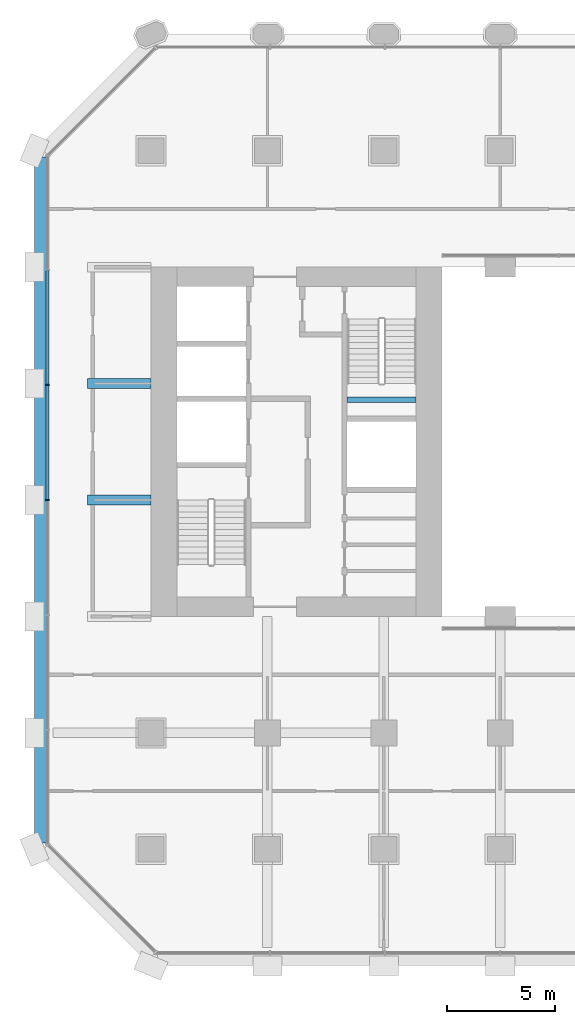
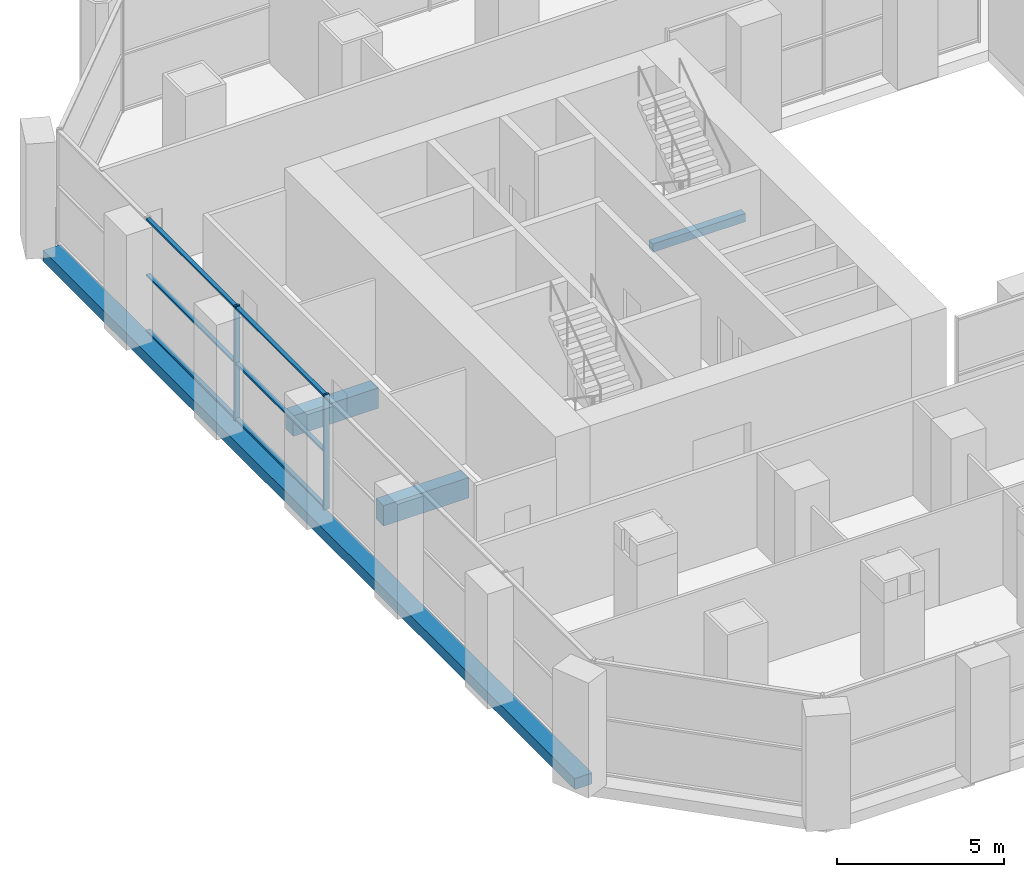
# One storey, part 5 of 23: 8 members, 4 beams, 1 element without a shape of its own.
"""IFC4 building model written with IfcOpenShell, lengths in metres."""

from ifc_helpers import new_model, si_unit, direction, frame, origin, origin_2d, place, context, subcontext, project, spatial, rectangle, extrude, material, material_profile, profile_set, type_object, element, aggregate, save


model = new_model("IFC4")

# Units and contexts
model_context = context("Model", 3, precision=1e-05, world=origin(), true_north=direction((0.0, 1.0)))
body_context = subcontext(model_context, "Body", "Model", "MODEL_VIEW")
ifc_project = project(units=[si_unit("LENGTHUNIT", "METRE"), si_unit("AREAUNIT", "SQUARE_METRE"), si_unit("VOLUMEUNIT", "CUBIC_METRE"), si_unit("PLANEANGLEUNIT", "RADIAN"), si_unit("MASSUNIT", "GRAM", prefix="KILO")], contexts=[model_context])

# Site, building, storey
site_placement = place(None, origin())
site = spatial("IfcSite", under=ifc_project, at=site_placement, CompositionType="ELEMENT")
building_placement = place(site_placement, origin())
building = spatial("IfcBuilding", under=site, at=building_placement, Name="Tabaq Tower and Sports Hall", CompositionType="ELEMENT")
storey_placement = place(building_placement, frame((0.0, 0.0, 29.10009765625)))
storey = spatial("IfcBuildingStorey", under=building, at=storey_placement, Name="L05", CompositionType="ELEMENT", Elevation=29.10009765625)

# Curtain wall, members
ifc_material_1 = material(Name="Aluminium alloy 6063-T6 framed glazing", Category="aluminium")
curtain_wall_type = type_object("IfcCurtainWallType", Name="CW7 curtain wall", PredefinedType="USERDEFINED", material=ifc_material_1)
curtain_wall_placement = place(storey_placement, origin())
curtain_wall = element("IfcCurtainWall", 1, at=curtain_wall_placement, inside=storey, type_object=curtain_wall_type, Name="Podium Wall L05 W", ObjectType="PODIUM WALL", PredefinedType="USERDEFINED")
ifc_material_2 = material(Name="Aluminium alloy 6063-T6", Category="aluminium")
ifc_material_profile_1 = material_profile(ifc_material_2, rectangle(XDim=0.179931640625, YDim=0.06494140625, at=origin_2d()), Name="MULLION 180x65")
ifc_profile_set_1 = profile_set([ifc_material_profile_1], Name="Aluminium alloy 6063-T6")
member_type_1 = type_object("IfcMemberType", Name="CW7 mullion 180x65", PredefinedType="MULLION", material=ifc_profile_set_1)
member_1_placement = place(storey_placement, frame((0.60009765625, 26.93798828125, 0.0), z_axis=(0.0, 0.0, 1.0), x_axis=(1.0, 0.0, 0.0)))
member_1 = element("IfcMember", 2, at=member_1_placement, type_object=member_type_1, Name="CW7 mullion 3", PredefinedType="MULLION", context=body_context, shape_type="SweptSolid", body=[
    extrude(rectangle(XDim=0.179931640625, YDim=0.06494140625, at=origin_2d()), origin(), (0.0, 0.0, 1.0), 4.199951171875),
])
member_2_placement = place(storey_placement, frame((0.60009765625, 21.60009765625, 0.0), z_axis=(0.0, 0.0, 1.0), x_axis=(1.0, 0.0, 0.0)))
member_2 = element("IfcMember", 3, at=member_2_placement, type_object=member_type_1, Name="CW7 mullion 4", PredefinedType="MULLION", context=body_context, shape_type="SweptSolid", body=[
    extrude(rectangle(XDim=0.179931640625, YDim=0.06494140625, at=origin_2d()), origin(), (0.0, 0.0, 1.0), 4.199951171875),
])
ifc_material_3 = material(Name="Aluminium alloy 6063-T6", Category="aluminium")
ifc_material_profile_2 = material_profile(ifc_material_3, rectangle(XDim=0.139892578125, YDim=0.06494140625, at=origin_2d()), Name="TRANSOM 140x65")
ifc_profile_set_2 = profile_set([ifc_material_profile_2], Name="Aluminium alloy 6063-T6")
member_type_2 = type_object("IfcMemberType", Name="CW7 transom 140x65", PredefinedType="USERDEFINED", material=ifc_profile_set_2)
member_3_placement = place(storey_placement, frame((0.60009765625, 32.2431640625, 0.06982421875), z_axis=(0.0, -1.0, 0.0), x_axis=(1.0, 0.0, 0.0)))
member_3 = element("IfcMember", 4, at=member_3_placement, type_object=member_type_2, Name="CW7 transom 2.1", ObjectType="TRANSOM", PredefinedType="USERDEFINED", context=body_context, shape_type="SweptSolid", body=[
    extrude(rectangle(XDim=0.139892578125, YDim=0.06494140625, at=origin_2d()), origin(), (0.0, 0.0, 1.0), 5.272705078125),
])
member_4_placement = place(storey_placement, frame((0.60009765625, 32.2431640625, 2.099853515625), z_axis=(0.0, -1.0, 0.0), x_axis=(1.0, 0.0, 0.0)))
member_4 = element("IfcMember", 5, at=member_4_placement, type_object=member_type_2, Name="CW7 transom 2.2", ObjectType="TRANSOM", PredefinedType="USERDEFINED", context=body_context, shape_type="SweptSolid", body=[
    extrude(rectangle(XDim=0.139892578125, YDim=0.06494140625, at=origin_2d()), origin(), (0.0, 0.0, 1.0), 5.272705078125),
])
member_5_placement = place(storey_placement, frame((0.60009765625, 32.2431640625, 4.1298828125), z_axis=(0.0, -1.0, 0.0), x_axis=(1.0, 0.0, 0.0)))
member_5 = element("IfcMember", 6, at=member_5_placement, type_object=member_type_2, Name="CW7 transom 2.3", ObjectType="TRANSOM", PredefinedType="USERDEFINED", context=body_context, shape_type="SweptSolid", body=[
    extrude(rectangle(XDim=0.139892578125, YDim=0.06494140625, at=origin_2d()), origin(), (0.0, 0.0, 1.0), 5.272705078125),
])
member_6_placement = place(storey_placement, frame((0.60009765625, 26.9052734375, 0.06982421875), z_axis=(0.0, -1.0, 0.0), x_axis=(1.0, 0.0, 0.0)))
member_6 = element("IfcMember", 7, at=member_6_placement, type_object=member_type_2, Name="CW7 transom 3.1", ObjectType="TRANSOM", PredefinedType="USERDEFINED", context=body_context, shape_type="SweptSolid", body=[
    extrude(rectangle(XDim=0.139892578125, YDim=0.06494140625, at=origin_2d()), origin(), (0.0, 0.0, 1.0), 5.272705078125),
])
member_7_placement = place(storey_placement, frame((0.60009765625, 26.9052734375, 2.099853515625), z_axis=(0.0, -1.0, 0.0), x_axis=(1.0, 0.0, 0.0)))
member_7 = element("IfcMember", 8, at=member_7_placement, type_object=member_type_2, Name="CW7 transom 3.2", ObjectType="TRANSOM", PredefinedType="USERDEFINED", context=body_context, shape_type="SweptSolid", body=[
    extrude(rectangle(XDim=0.139892578125, YDim=0.06494140625, at=origin_2d()), origin(), (0.0, 0.0, 1.0), 5.272705078125),
])
member_8_placement = place(storey_placement, frame((0.60009765625, 26.9052734375, 4.1298828125), z_axis=(0.0, -1.0, 0.0), x_axis=(1.0, 0.0, 0.0)))
member_8 = element("IfcMember", 9, at=member_8_placement, type_object=member_type_2, Name="CW7 transom 3.3", ObjectType="TRANSOM", PredefinedType="USERDEFINED", context=body_context, shape_type="SweptSolid", body=[
    extrude(rectangle(XDim=0.139892578125, YDim=0.06494140625, at=origin_2d()), origin(), (0.0, 0.0, 1.0), 5.272705078125),
])
aggregate(curtain_wall, [member_1, member_2, member_3, member_4, member_5, member_6, member_7, member_8])

# Beams
ifc_material_4 = material(Name="Concrete C40/50", Category="concrete")
ifc_material_profile_3 = material_profile(ifc_material_4, rectangle(XDim=0.449951171875, YDim=0.75, at=origin_2d()), Name="CB 450x750")
ifc_profile_set_3 = profile_set([ifc_material_profile_3], Name="Concrete C40/50")
beam_type_1 = type_object("IfcBeamType", Name="PT CANTILEVER BEAM CB 450x750 C40/50", PredefinedType="BEAM", material=ifc_profile_set_3)
for number, where, z_axis, x_axis, name in (
    (10, (2.449951171875, 21.60009765625, -0.775146484375), (1.0, 0.0, 0.0), (0.0, 1.0, 0.0), "Cantilever Beam L05 W4 span 1"),
    (11, (2.449951171875, 27.0, -0.775146484375), (1.0, 0.0, 0.0), (0.0, 1.0, 0.0), "Cantilever Beam L05 W5 span 1"),
):
    element("IfcBeam", number, at=place(storey_placement, frame(where, z_axis=z_axis, x_axis=x_axis)), inside=storey, type_object=beam_type_1, Name=name, PredefinedType="BEAM", context=body_context, shape_type="SweptSolid", body=[
        extrude(rectangle(XDim=0.449951171875, YDim=0.75, at=origin_2d()), origin(), (0.0, 0.0, 1.0), 2.949951171875),
    ])
ifc_material_5 = material(Name="Concrete C40/50", Category="concrete")
ifc_material_profile_4 = material_profile(ifc_material_5, rectangle(XDim=0.60009765625, YDim=0.39990234375, at=origin_2d()), Name="EB 600x400")
ifc_profile_set_4 = profile_set([ifc_material_profile_4], Name="Concrete C40/50")
beam_type_2 = type_object("IfcBeamType", Name="PT EDGE BEAM EB 600x400 C40/50", PredefinedType="SPANDREL", material=ifc_profile_set_4)
beam_1_placement = place(storey_placement, frame((0.300048828125, 37.50146484375, -0.2001953125), z_axis=(0.0, -1.0, 0.0), x_axis=(1.0, 0.0, 0.0)))
element("IfcBeam", 12, at=beam_1_placement, inside=storey, type_object=beam_type_2, Name="Edge Beam L05 4", PredefinedType="SPANDREL", context=body_context, shape_type="SweptSolid", body=[
    extrude(rectangle(XDim=0.60009765625, YDim=0.39990234375, at=origin_2d()), origin(), (0.0, 0.0, 1.0), 31.802978515625),
])
ifc_material_6 = material(Name="Concrete C40/50", Category="concrete")
ifc_material_profile_5 = material_profile(ifc_material_6, rectangle(XDim=0.25, YDim=0.300048828125, at=origin_2d()), Name="RC 250x300")
ifc_profile_set_5 = profile_set([ifc_material_profile_5], Name="Concrete C40/50")
beam_type_3 = type_object("IfcBeamType", Name="Stair landing beam 250x300", PredefinedType="BEAM", material=ifc_profile_set_5)
beam_2_placement = place(storey_placement, frame((14.5, 26.25, 1.89990234375), z_axis=(1.0, 0.0, 0.0), x_axis=(0.0, 1.0, 0.0)))
element("IfcBeam", 13, at=beam_2_placement, inside=storey, type_object=beam_type_3, Name="L05 ST2 landing beam 1", PredefinedType="BEAM", context=body_context, shape_type="SweptSolid", body=[
    extrude(rectangle(XDim=0.25, YDim=0.300048828125, at=origin_2d()), origin(), (0.0, 0.0, 1.0), 3.199951171875),
])

save(model, "model.ifc")
